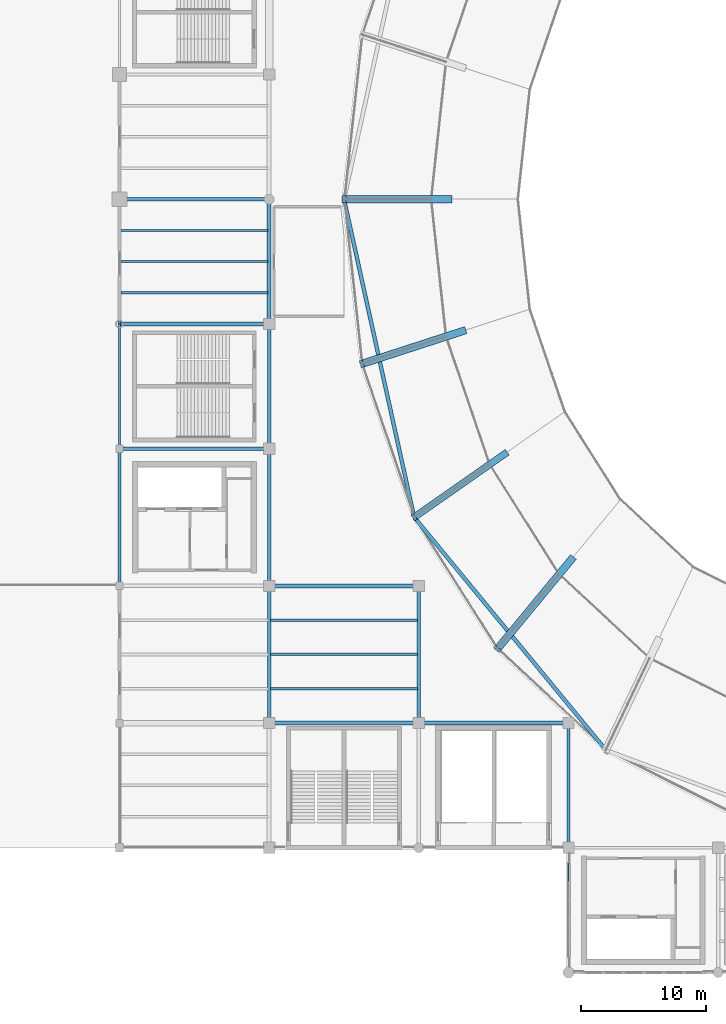
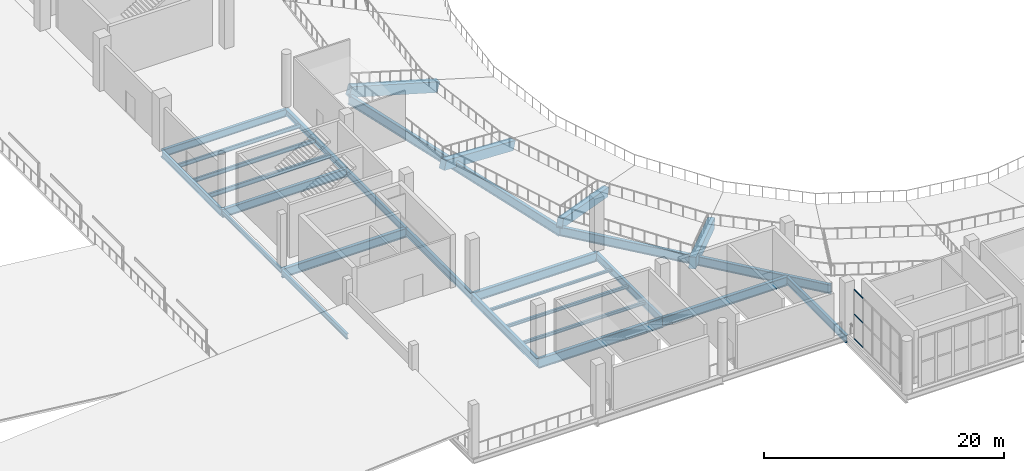
# One storey, part 8 of 74: 27 beams, 3 members, 1 element without a shape of its own.
"""IFC4 building model written with IfcOpenShell, lengths in metres."""

from ifc_helpers import new_model, si_unit, direction, frame, origin, origin_2d, place, context, subcontext, project, spatial, rectangle, hollow_rectangle, i_section, extrude, material, layer, layer_set, material_profile, profile_set, type_object, element, aggregate, save


model = new_model("IFC4")

# Units and contexts
model_context = context("Model", 3, precision=1e-05, world=origin(), true_north=direction((0.0, 1.0)))
body_context = subcontext(model_context, "Body", "Model", "MODEL_VIEW")
ifc_project = project(units=[si_unit("LENGTHUNIT", "METRE"), si_unit("AREAUNIT", "SQUARE_METRE"), si_unit("VOLUMEUNIT", "CUBIC_METRE"), si_unit("PLANEANGLEUNIT", "RADIAN"), si_unit("MASSUNIT", "GRAM", prefix="KILO")], contexts=[model_context])

# Site, building, storey
site_placement = place(None, origin())
site = spatial("IfcSite", under=ifc_project, at=site_placement, CompositionType="ELEMENT")
building_placement = place(site_placement, origin())
building = spatial("IfcBuilding", under=site, at=building_placement, Name="Brinegate Civic Arena", CompositionType="ELEMENT")
storey_placement = place(building_placement, frame((0.0, 0.0, 19.199951171875)))
storey = spatial("IfcBuildingStorey", under=building, at=storey_placement, Name="L04", CompositionType="ELEMENT", Elevation=19.199951171875)

# Curtain wall, members
ifc_material_1 = material(Name="Marine grade aluminium", Category="aluminium")
ifc_layer = layer(ifc_material_1, 0.25, Name="Marine grade aluminium")
ifc_layer_set = layer_set([ifc_layer], Name="Marine grade aluminium")
curtain_wall_type = type_object("IfcCurtainWallType", Name="CW-PORTAL-SOUTH-02", PredefinedType="USERDEFINED", material=ifc_layer_set)
curtain_wall_placement = place(storey_placement, origin())
curtain_wall = element("IfcCurtainWall", 1, at=curtain_wall_placement, inside=storey, type_object=curtain_wall_type, Name="Curtain Wall CWA-150", ObjectType="PORTAL CURTAIN WALL", PredefinedType="USERDEFINED")
ifc_material_profile_1 = material_profile(ifc_material_1, hollow_rectangle(XDim=0.06494140625, YDim=0.139892578125, WallThickness=0.0048828125, InnerFilletRadius=0.00390625, OuterFilletRadius=0.008056640625, at=origin_2d()), Name="TRN65X140")
ifc_profile_set_1 = profile_set([ifc_material_profile_1], Name="Marine grade aluminium")
member_type = type_object("IfcMemberType", Name="CW-TRANSOM-65X140", PredefinedType="USERDEFINED", material=ifc_profile_set_1)
member_1_placement = place(storey_placement, frame((84.0, 7.32080078125, 0.032470703125), z_axis=(0.0, 1.0, 0.0), x_axis=(-1.0, 0.0, 0.0)))
member_1 = element("IfcMember", 2, at=member_1_placement, type_object=member_type, Name="CWA-150 transom 5.1", ObjectType="TRANSOM", PredefinedType="USERDEFINED", context=body_context, shape_type="SweptSolid", body=[
    extrude(hollow_rectangle(XDim=0.06494140625, YDim=0.139892578125, WallThickness=0.0048828125, InnerFilletRadius=0.00390625, OuterFilletRadius=0.008056640625, at=origin_2d()), origin(), (0.0, 0.0, 1.0), 1.42822265625),
])
member_2_placement = place(storey_placement, frame((84.0, 7.32080078125, 2.53515625), z_axis=(0.0, 1.0, 0.0), x_axis=(-1.0, 0.0, 0.0)))
member_2 = element("IfcMember", 3, at=member_2_placement, type_object=member_type, Name="CWA-150 transom 5.2", ObjectType="TRANSOM", PredefinedType="USERDEFINED", context=body_context, shape_type="SweptSolid", body=[
    extrude(hollow_rectangle(XDim=0.06494140625, YDim=0.139892578125, WallThickness=0.0048828125, InnerFilletRadius=0.00390625, OuterFilletRadius=0.008056640625, at=origin_2d()), origin(), (0.0, 0.0, 1.0), 1.42822265625),
])
member_3_placement = place(storey_placement, frame((84.0, 7.32080078125, 5.03759765625), z_axis=(0.0, 1.0, 0.0), x_axis=(-1.0, 0.0, 0.0)))
member_3 = element("IfcMember", 4, at=member_3_placement, type_object=member_type, Name="CWA-150 transom 5.3", ObjectType="TRANSOM", PredefinedType="USERDEFINED", context=body_context, shape_type="SweptSolid", body=[
    extrude(hollow_rectangle(XDim=0.06494140625, YDim=0.139892578125, WallThickness=0.0048828125, InnerFilletRadius=0.00390625, OuterFilletRadius=0.008056640625, at=origin_2d()), origin(), (0.0, 0.0, 1.0), 1.42822265625),
])
aggregate(curtain_wall, [member_1, member_2, member_3])

# Beams
ifc_material_2 = material(Name="Steel S355", Category="steel")
ifc_material_profile_2 = material_profile(ifc_material_2, i_section(OverallWidth=0.300048828125, OverallDepth=1.0, WebThickness=0.01904296875, FlangeThickness=0.031982421875, FilletRadius=0.02392578125, at=origin_2d()), Name="W1000X321")
ifc_profile_set_2 = profile_set([ifc_material_profile_2], Name="Steel S355")
beam_type_1 = type_object("IfcBeamType", Name="GIRDER-W1000X321", PredefinedType="BEAM", material=ifc_profile_set_2)
beam_1_placement = place(storey_placement, frame((60.0, 20.0, -0.83984375), z_axis=(1.0, 0.0, 0.0), x_axis=(0.0, 1.0, 0.0)))
element("IfcBeam", 5, at=beam_1_placement, inside=storey, type_object=beam_type_1, Name="Floor Girder BM-L04-GX-05-02", PredefinedType="BEAM", context=body_context, shape_type="SweptSolid", body=[
    extrude(i_section(OverallWidth=0.300048828125, OverallDepth=1.0, WebThickness=0.01904296875, FlangeThickness=0.031982421875, FilletRadius=0.02392578125, at=origin_2d()), origin(), (0.0, 0.0, 1.0), 12.0),
])
ifc_material_profile_3 = material_profile(ifc_material_2, i_section(OverallWidth=0.323974609375, OverallDepth=0.611083984375, WebThickness=0.012939453125, FlangeThickness=0.01904296875, FilletRadius=0.01611328125, at=origin_2d()), Name="W610X155")
ifc_profile_set_3 = profile_set([ifc_material_profile_3], Name="Steel S355")
beam_type_2 = type_object("IfcBeamType", Name="GIRDER-W610X155", PredefinedType="BEAM", material=ifc_profile_set_3)
beam_2_placement = place(storey_placement, frame((60.0, 52.0, -0.64501953125), z_axis=(0.0, 1.0, 0.0), x_axis=(-1.0, 0.0, 0.0)))
element("IfcBeam", 6, at=beam_2_placement, inside=storey, type_object=beam_type_2, Name="Floor Girder BM-L04-GY-05-05", PredefinedType="BEAM", context=body_context, shape_type="SweptSolid", body=[
    extrude(i_section(OverallWidth=0.323974609375, OverallDepth=0.611083984375, WebThickness=0.012939453125, FlangeThickness=0.01904296875, FilletRadius=0.01611328125, at=origin_2d()), origin(), (0.0, 0.0, 1.0), 10.0),
])
ifc_material_profile_4 = material_profile(ifc_material_2, i_section(OverallWidth=0.256103515625, OverallDepth=0.693115234375, WebThickness=0.014892578125, FlangeThickness=0.02392578125, FilletRadius=0.01806640625, at=origin_2d()), Name="W690X170")
ifc_profile_set_4 = profile_set([ifc_material_profile_4], Name="Steel S355")
beam_type_3 = type_object("IfcBeamType", Name="GIRDER-W690X170", PredefinedType="BEAM", material=ifc_profile_set_4)
beam_3_placement = place(storey_placement, frame((60.0, 42.0, -0.68603515625), z_axis=(0.0, 1.0, 0.0), x_axis=(-1.0, 0.0, 0.0)))
element("IfcBeam", 7, at=beam_3_placement, inside=storey, type_object=beam_type_3, Name="Floor Girder BM-L04-GY-05-04", PredefinedType="BEAM", context=body_context, shape_type="SweptSolid", body=[
    extrude(i_section(OverallWidth=0.256103515625, OverallDepth=0.693115234375, WebThickness=0.014892578125, FlangeThickness=0.02392578125, FilletRadius=0.01806640625, at=origin_2d()), origin(), (0.0, 0.0, 1.0), 10.0),
])
ifc_material_profile_5 = material_profile(ifc_material_2, i_section(OverallWidth=0.26806640625, OverallDepth=0.77001953125, WebThickness=0.01611328125, FlangeThickness=0.02490234375, FilletRadius=0.02001953125, at=origin_2d()), Name="W760X196")
ifc_profile_set_5 = profile_set([ifc_material_profile_5], Name="Steel S355")
beam_type_4 = type_object("IfcBeamType", Name="GIRDER-W760X196", PredefinedType="BEAM", material=ifc_profile_set_5)
beam_4_placement = place(storey_placement, frame((48.0, 62.0, -0.724853515625), z_axis=(1.0, 0.0, 0.0), x_axis=(0.0, 1.0, 0.0)))
element("IfcBeam", 8, at=beam_4_placement, inside=storey, type_object=beam_type_4, Name="Floor Girder BM-L04-GX-04-06", PredefinedType="BEAM", context=body_context, shape_type="SweptSolid", body=[
    extrude(i_section(OverallWidth=0.26806640625, OverallDepth=0.77001953125, WebThickness=0.01611328125, FlangeThickness=0.02490234375, FilletRadius=0.02001953125, at=origin_2d()), origin(), (0.0, 0.0, 1.0), 12.0),
])
for number, where, z_axis, x_axis, name in (
    (9, (60.0, 31.0, -0.724853515625), (0.0, 1.0, 0.0), (-1.0, 0.0, 0.0), "Floor Girder BM-L04-GY-05-03"),
    (10, (72.0, 20.0, -0.724853515625), (0.0, 1.0, 0.0), (-1.0, 0.0, 0.0), "Floor Girder BM-L04-GY-06-02"),
):
    element("IfcBeam", number, at=place(storey_placement, frame(where, z_axis=z_axis, x_axis=x_axis)), inside=storey, type_object=beam_type_4, Name=name, PredefinedType="BEAM", context=body_context, shape_type="SweptSolid", body=[
        extrude(i_section(OverallWidth=0.26806640625, OverallDepth=0.77001953125, WebThickness=0.01611328125, FlangeThickness=0.02490234375, FilletRadius=0.02001953125, at=origin_2d()), origin(), (0.0, 0.0, 1.0), 11.0),
    ])
beam_5_placement = place(storey_placement, frame((84.0, 10.0, -0.724853515625), z_axis=(0.0, 1.0, 0.0), x_axis=(-1.0, 0.0, 0.0)))
element("IfcBeam", 11, at=beam_5_placement, inside=storey, type_object=beam_type_4, Name="Floor Girder BM-L04-GY-07-01", PredefinedType="BEAM", context=body_context, shape_type="SweptSolid", body=[
    extrude(i_section(OverallWidth=0.26806640625, OverallDepth=0.77001953125, WebThickness=0.01611328125, FlangeThickness=0.02490234375, FilletRadius=0.02001953125, at=origin_2d()), origin(), (0.0, 0.0, 1.0), 10.0),
])
ifc_material_profile_6 = material_profile(ifc_material_2, i_section(OverallWidth=0.2939453125, OverallDepth=0.85107421875, WebThickness=0.01611328125, FlangeThickness=0.027099609375, FilletRadius=0.02197265625, at=origin_2d()), Name="W840X226")
ifc_profile_set_6 = profile_set([ifc_material_profile_6], Name="Steel S355")
beam_type_5 = type_object("IfcBeamType", Name="GIRDER-W840X226", PredefinedType="BEAM", material=ifc_profile_set_6)
beam_6_placement = place(storey_placement, frame((48.0, 52.0, -0.764892578125), z_axis=(1.0, 0.0, 0.0), x_axis=(0.0, 1.0, 0.0)))
element("IfcBeam", 12, at=beam_6_placement, inside=storey, type_object=beam_type_5, Name="Floor Girder BM-L04-GX-04-05", PredefinedType="BEAM", context=body_context, shape_type="SweptSolid", body=[
    extrude(i_section(OverallWidth=0.2939453125, OverallDepth=0.85107421875, WebThickness=0.01611328125, FlangeThickness=0.027099609375, FilletRadius=0.02197265625, at=origin_2d()), origin(), (0.0, 0.0, 1.0), 12.0),
])
beam_7_placement = place(storey_placement, frame((60.0, 20.0, -0.764892578125), z_axis=(0.0, 1.0, 0.0), x_axis=(-1.0, 0.0, 0.0)))
element("IfcBeam", 13, at=beam_7_placement, inside=storey, type_object=beam_type_5, Name="Floor Girder BM-L04-GY-05-02", PredefinedType="BEAM", context=body_context, shape_type="SweptSolid", body=[
    extrude(i_section(OverallWidth=0.2939453125, OverallDepth=0.85107421875, WebThickness=0.01611328125, FlangeThickness=0.027099609375, FilletRadius=0.02197265625, at=origin_2d()), origin(), (0.0, 0.0, 1.0), 11.0),
])
ifc_material_profile_7 = material_profile(ifc_material_2, i_section(OverallWidth=0.30810546875, OverallDepth=0.927001953125, WebThickness=0.01904296875, FlangeThickness=0.031982421875, FilletRadius=0.02392578125, at=origin_2d()), Name="W920X289")
ifc_profile_set_7 = profile_set([ifc_material_profile_7], Name="Steel S355")
beam_type_6 = type_object("IfcBeamType", Name="GIRDER-W920X289", PredefinedType="BEAM", material=ifc_profile_set_7)
for number, where, z_axis, x_axis, name in (
    (14, (72.0, 20.0, -0.802978515625), (1.0, 0.0, 0.0), (0.0, 1.0, 0.0), "Floor Girder BM-L04-GX-06-02"),
    (15, (60.0, 31.0, -0.802978515625), (1.0, 0.0, 0.0), (0.0, 1.0, 0.0), "Floor Girder BM-L04-GX-05-03"),
    (16, (48.0, 42.0, -0.802978515625), (1.0, 0.0, 0.0), (0.0, 1.0, 0.0), "Floor Girder BM-L04-GX-04-04"),
):
    element("IfcBeam", number, at=place(storey_placement, frame(where, z_axis=z_axis, x_axis=x_axis)), inside=storey, type_object=beam_type_6, Name=name, PredefinedType="BEAM", context=body_context, shape_type="SweptSolid", body=[
        extrude(i_section(OverallWidth=0.30810546875, OverallDepth=0.927001953125, WebThickness=0.01904296875, FlangeThickness=0.031982421875, FilletRadius=0.02392578125, at=origin_2d()), origin(), (0.0, 0.0, 1.0), 12.0),
    ])
ifc_material_profile_8 = material_profile(ifc_material_2, i_section(OverallWidth=0.202880859375, OverallDepth=0.251953125, WebThickness=0.008056640625, FlangeThickness=0.013916015625, FilletRadius=0.011962890625, at=origin_2d()), Name="W250X58")
ifc_profile_set_8 = profile_set([ifc_material_profile_8], Name="Steel S355")
beam_type_7 = type_object("IfcBeamType", Name="JOIST-W250X58", PredefinedType="JOIST", material=ifc_profile_set_8)
beam_8_placement = place(storey_placement, frame((60.10595703125, 28.25, -0.466064453125), z_axis=(1.0, 0.0, 0.0), x_axis=(0.0, 1.0, 0.0)))
element("IfcBeam", 17, at=beam_8_placement, inside=storey, type_object=beam_type_7, Name="Secondary Joist BM-L04-JX-05-02-3", PredefinedType="JOIST", context=body_context, shape_type="SweptSolid", body=[
    extrude(i_section(OverallWidth=0.202880859375, OverallDepth=0.251953125, WebThickness=0.008056640625, FlangeThickness=0.013916015625, FilletRadius=0.011962890625, at=origin_2d()), origin(), (0.0, 0.0, 1.0), 11.7880859375),
])
ifc_material_profile_9 = material_profile(ifc_material_2, i_section(OverallWidth=0.202880859375, OverallDepth=0.302978515625, WebThickness=0.008056640625, FlangeThickness=0.012939453125, FilletRadius=0.012939453125, at=origin_2d()), Name="W310X60")
ifc_profile_set_9 = profile_set([ifc_material_profile_9], Name="Steel S355")
beam_type_8 = type_object("IfcBeamType", Name="JOIST-W310X60", PredefinedType="JOIST", material=ifc_profile_set_9)
beam_9_placement = place(storey_placement, frame((60.10595703125, 25.5, -0.490966796875), z_axis=(1.0, 0.0, 0.0), x_axis=(0.0, 1.0, 0.0)))
element("IfcBeam", 18, at=beam_9_placement, inside=storey, type_object=beam_type_8, Name="Secondary Joist BM-L04-JX-05-02-2", PredefinedType="JOIST", context=body_context, shape_type="SweptSolid", body=[
    extrude(i_section(OverallWidth=0.202880859375, OverallDepth=0.302978515625, WebThickness=0.008056640625, FlangeThickness=0.012939453125, FilletRadius=0.012939453125, at=origin_2d()), origin(), (0.0, 0.0, 1.0), 11.7880859375),
])
ifc_material_profile_10 = material_profile(ifc_material_2, i_section(OverallWidth=0.205078125, OverallDepth=0.31005859375, WebThickness=0.009033203125, FlangeThickness=0.01611328125, FilletRadius=0.012939453125, at=origin_2d()), Name="W310X74")
ifc_profile_set_10 = profile_set([ifc_material_profile_10], Name="Steel S355")
beam_type_9 = type_object("IfcBeamType", Name="JOIST-W310X74", PredefinedType="JOIST", material=ifc_profile_set_10)
beam_10_placement = place(storey_placement, frame((60.10595703125, 22.75, -0.494873046875), z_axis=(1.0, 0.0, 0.0), x_axis=(0.0, 1.0, 0.0)))
element("IfcBeam", 19, at=beam_10_placement, inside=storey, type_object=beam_type_9, Name="Secondary Joist BM-L04-JX-05-02-1", PredefinedType="JOIST", context=body_context, shape_type="SweptSolid", body=[
    extrude(i_section(OverallWidth=0.205078125, OverallDepth=0.31005859375, WebThickness=0.009033203125, FlangeThickness=0.01611328125, FilletRadius=0.012939453125, at=origin_2d()), origin(), (0.0, 0.0, 1.0), 11.7880859375),
])
ifc_material_profile_11 = material_profile(ifc_material_2, i_section(OverallWidth=0.178955078125, OverallDepth=0.409912109375, WebThickness=0.009033203125, FlangeThickness=0.013916015625, FilletRadius=0.013916015625, at=origin_2d()), Name="W410X67")
ifc_profile_set_11 = profile_set([ifc_material_profile_11], Name="Steel S355")
beam_type_10 = type_object("IfcBeamType", Name="JOIST-W410X67", PredefinedType="JOIST", material=ifc_profile_set_11)
beam_11_placement = place(storey_placement, frame((48.10595703125, 59.5, -0.544921875), z_axis=(1.0, 0.0, 0.0), x_axis=(0.0, 1.0, 0.0)))
element("IfcBeam", 20, at=beam_11_placement, inside=storey, type_object=beam_type_10, Name="Secondary Joist BM-L04-JX-04-05-3", PredefinedType="JOIST", context=body_context, shape_type="SweptSolid", body=[
    extrude(i_section(OverallWidth=0.178955078125, OverallDepth=0.409912109375, WebThickness=0.009033203125, FlangeThickness=0.013916015625, FilletRadius=0.013916015625, at=origin_2d()), origin(), (0.0, 0.0, 1.0), 11.7880859375),
])
ifc_material_profile_12 = material_profile(ifc_material_2, i_section(OverallWidth=0.180908203125, OverallDepth=0.4169921875, WebThickness=0.010986328125, FlangeThickness=0.01806640625, FilletRadius=0.013916015625, at=origin_2d()), Name="W410X85")
ifc_profile_set_12 = profile_set([ifc_material_profile_12], Name="Steel S355")
beam_type_11 = type_object("IfcBeamType", Name="JOIST-W410X85", PredefinedType="JOIST", material=ifc_profile_set_12)
beam_12_placement = place(storey_placement, frame((48.10595703125, 57.0, -0.5478515625), z_axis=(1.0, 0.0, 0.0), x_axis=(0.0, 1.0, 0.0)))
element("IfcBeam", 21, at=beam_12_placement, inside=storey, type_object=beam_type_11, Name="Secondary Joist BM-L04-JX-04-05-2", PredefinedType="JOIST", context=body_context, shape_type="SweptSolid", body=[
    extrude(i_section(OverallWidth=0.180908203125, OverallDepth=0.4169921875, WebThickness=0.010986328125, FlangeThickness=0.01806640625, FilletRadius=0.013916015625, at=origin_2d()), origin(), (0.0, 0.0, 1.0), 11.7880859375),
])
ifc_material_profile_13 = material_profile(ifc_material_2, i_section(OverallWidth=0.19091796875, OverallDepth=0.4599609375, WebThickness=0.010009765625, FlangeThickness=0.01611328125, FilletRadius=0.014892578125, at=origin_2d()), Name="W460X82")
ifc_profile_set_13 = profile_set([ifc_material_profile_13], Name="Steel S355")
beam_type_12 = type_object("IfcBeamType", Name="JOIST-W460X82", PredefinedType="JOIST", material=ifc_profile_set_13)
beam_13_placement = place(storey_placement, frame((48.10595703125, 54.5, -0.570068359375), z_axis=(1.0, 0.0, 0.0), x_axis=(0.0, 1.0, 0.0)))
element("IfcBeam", 22, at=beam_13_placement, inside=storey, type_object=beam_type_12, Name="Secondary Joist BM-L04-JX-04-05-1", PredefinedType="JOIST", context=body_context, shape_type="SweptSolid", body=[
    extrude(i_section(OverallWidth=0.19091796875, OverallDepth=0.4599609375, WebThickness=0.010009765625, FlangeThickness=0.01611328125, FilletRadius=0.014892578125, at=origin_2d()), origin(), (0.0, 0.0, 1.0), 11.7880859375),
])
ifc_material_3 = material(Name="Concrete C50/60", Category="concrete")
ifc_material_profile_14 = material_profile(ifc_material_3, rectangle(XDim=0.550048828125, YDim=0.89990234375, at=origin_2d()), Name="RKR550X900")
ifc_profile_set_14 = profile_set([ifc_material_profile_14], Name="Concrete C50/60")
beam_type_13 = type_object("IfcBeamType", Name="RAKER-RKR550X900", PredefinedType="USERDEFINED", material=ifc_profile_set_14)
beam_14_placement = place(storey_placement, frame((78.988037109375, 41.64990234375, -3.099853515625), z_axis=(-0.790512791531, -0.553052198088, 0.263102247455), x_axis=(0.573248930073, -0.819381269111, 0.0)))
element("IfcBeam", 23, at=beam_14_placement, inside=storey, type_object=beam_type_13, Name="Upper Bowl Raker Girder RKR-UPR-15", ObjectType="RAKER GIRDER", PredefinedType="USERDEFINED", context=body_context, shape_type="SweptSolid", body=[
    extrude(rectangle(XDim=0.550048828125, YDim=0.89990234375, at=origin_2d()), origin(), (0.0, 0.0, 1.0), 9.311767578125),
])
ifc_material_profile_15 = material_profile(ifc_material_3, rectangle(XDim=0.60009765625, YDim=1.050048828125, at=origin_2d()), Name="RKR600X1050")
ifc_profile_set_15 = profile_set([ifc_material_profile_15], Name="Concrete C50/60")
beam_type_14 = type_object("IfcBeamType", Name="RAKER-RKR600X1050", PredefinedType="USERDEFINED", material=ifc_profile_set_15)
beam_15_placement = place(storey_placement, frame((74.5, 62.0, -3.099853515625), z_axis=(-0.960882931725, 0.0, 0.27695485466), x_axis=(0.0, -1.0, 0.0)))
element("IfcBeam", 24, at=beam_15_placement, inside=storey, type_object=beam_type_14, Name="Upper Bowl Raker Girder RKR-UPR-13", ObjectType="RAKER GIRDER", PredefinedType="USERDEFINED", context=body_context, shape_type="SweptSolid", body=[
    extrude(rectangle(XDim=0.60009765625, YDim=1.050048828125, at=origin_2d()), origin(), (0.0, 0.0, 1.0), 8.845947265625),
])
beam_16_placement = place(storey_placement, frame((84.31201171875, 33.220947265625, -3.099853515625), z_axis=(-0.616082542509, -0.746571813202, 0.251143043997), x_axis=(0.77129172537, -0.636481794222, 0.0)))
element("IfcBeam", 25, at=beam_16_placement, inside=storey, type_object=beam_type_14, Name="Upper Bowl Raker Girder RKR-UPR-16", ObjectType="RAKER GIRDER", PredefinedType="USERDEFINED", context=body_context, shape_type="SweptSolid", body=[
    extrude(rectangle(XDim=0.60009765625, YDim=1.050048828125, at=origin_2d()), origin(), (0.0, 0.0, 1.0), 9.755126953125),
])
ifc_material_profile_16 = material_profile(ifc_material_3, rectangle(XDim=0.60009765625, YDim=0.949951171875, at=origin_2d()), Name="RKR600X950")
ifc_profile_set_16 = profile_set([ifc_material_profile_16], Name="Concrete C50/60")
beam_type_15 = type_object("IfcBeamType", Name="RAKER-RKR600X950", PredefinedType="USERDEFINED", material=ifc_profile_set_16)
beam_17_placement = place(storey_placement, frame((75.64111328125, 51.466064453125, -3.099853515625), z_axis=(-0.914974986792, -0.297110436105, 0.273031430981), x_axis=(0.308844965633, -0.951112394622, 0.0)))
element("IfcBeam", 26, at=beam_17_placement, inside=storey, type_object=beam_type_15, Name="Upper Bowl Raker Girder RKR-UPR-14", ObjectType="RAKER GIRDER", PredefinedType="USERDEFINED", context=body_context, shape_type="SweptSolid", body=[
    extrude(rectangle(XDim=0.60009765625, YDim=0.949951171875, at=origin_2d()), origin(), (0.0, 0.0, 1.0), 8.97314453125),
])
ifc_material_profile_17 = material_profile(ifc_material_2, i_section(OverallWidth=0.300048828125, OverallDepth=1.0, WebThickness=0.01904296875, FlangeThickness=0.031982421875, FilletRadius=0.02392578125, at=origin_2d()), Name="W1000X321")
ifc_profile_set_17 = profile_set([ifc_material_profile_17], Name="Steel S355")
beam_type_16 = type_object("IfcBeamType", Name="RING-W1000X321", PredefinedType="BEAM", material=ifc_profile_set_17)
beam_18_placement = place(storey_placement, frame((66.0, 62.0, -1.449951171875), z_axis=(0.215480978619, -0.976508037782, 0.0), x_axis=(0.976508037782, 0.215480978619, 0.0)))
element("IfcBeam", 27, at=beam_18_placement, inside=storey, type_object=beam_type_16, Name="Bowl Ring Girder RG-BOWL-07", PredefinedType="BEAM", context=body_context, shape_type="SweptSolid", body=[
    extrude(i_section(OverallWidth=0.300048828125, OverallDepth=1.0, WebThickness=0.01904296875, FlangeThickness=0.031982421875, FilletRadius=0.02392578125, at=origin_2d()), origin(), (0.0, 0.0, 1.0), 26.113525390625),
])
ifc_material_profile_18 = material_profile(ifc_material_2, i_section(OverallWidth=0.30810546875, OverallDepth=0.927001953125, WebThickness=0.01904296875, FlangeThickness=0.031982421875, FilletRadius=0.02392578125, at=origin_2d()), Name="W920X289")
ifc_profile_set_18 = profile_set([ifc_material_profile_18], Name="Steel S355")
beam_type_17 = type_object("IfcBeamType", Name="RING-W920X289", PredefinedType="BEAM", material=ifc_profile_set_18)
beam_19_placement = place(storey_placement, frame((71.626953125, 36.5, -1.412841796875), z_axis=(0.635712914824, -0.77192557279, 0.0), x_axis=(0.77192557279, 0.635712914824, 0.0)))
element("IfcBeam", 28, at=beam_19_placement, inside=storey, type_object=beam_type_17, Name="Bowl Ring Girder RG-BOWL-08", PredefinedType="BEAM", context=body_context, shape_type="SweptSolid", body=[
    extrude(i_section(OverallWidth=0.30810546875, OverallDepth=0.927001953125, WebThickness=0.01904296875, FlangeThickness=0.031982421875, FilletRadius=0.02392578125, at=origin_2d()), origin(), (0.0, 0.0, 1.0), 24.182373046875),
])
ifc_material_profile_19 = material_profile(ifc_material_2, i_section(OverallWidth=0.193115234375, OverallDepth=0.466064453125, WebThickness=0.010986328125, FlangeThickness=0.01904296875, FilletRadius=0.014892578125, at=origin_2d()), Name="W460X97")
ifc_profile_set_19 = profile_set([ifc_material_profile_19], Name="Steel S355")
beam_type_18 = type_object("IfcBeamType", Name="SPANDREL-W460X97", PredefinedType="SPANDREL", material=ifc_profile_set_19)
beam_20_placement = place(storey_placement, frame((48.0, 42.0, -0.572998046875), z_axis=(0.0, 1.0, 0.0), x_axis=(-1.0, 0.0, 0.0)))
element("IfcBeam", 29, at=beam_20_placement, inside=storey, type_object=beam_type_18, Name="Floor Girder BM-L04-GY-04-04", PredefinedType="SPANDREL", context=body_context, shape_type="SweptSolid", body=[
    extrude(i_section(OverallWidth=0.193115234375, OverallDepth=0.466064453125, WebThickness=0.010986328125, FlangeThickness=0.01904296875, FilletRadius=0.014892578125, at=origin_2d()), origin(), (0.0, 0.0, 1.0), 10.0),
])
ifc_material_profile_20 = material_profile(ifc_material_2, i_section(OverallWidth=0.2119140625, OverallDepth=0.5439453125, WebThickness=0.012939453125, FlangeThickness=0.02099609375, FilletRadius=0.01611328125, at=origin_2d()), Name="W530X123")
ifc_profile_set_20 = profile_set([ifc_material_profile_20], Name="Steel S355")
beam_type_19 = type_object("IfcBeamType", Name="SPANDREL-W530X123", PredefinedType="SPANDREL", material=ifc_profile_set_20)
beam_21_placement = place(storey_placement, frame((48.0, 31.0, -0.612060546875), z_axis=(0.0, 1.0, 0.0), x_axis=(-1.0, 0.0, 0.0)))
element("IfcBeam", 30, at=beam_21_placement, inside=storey, type_object=beam_type_19, Name="Floor Girder BM-L04-GY-04-03", PredefinedType="SPANDREL", context=body_context, shape_type="SweptSolid", body=[
    extrude(i_section(OverallWidth=0.2119140625, OverallDepth=0.5439453125, WebThickness=0.012939453125, FlangeThickness=0.02099609375, FilletRadius=0.01611328125, at=origin_2d()), origin(), (0.0, 0.0, 1.0), 11.0),
])
ifc_material_profile_21 = material_profile(ifc_material_2, i_section(OverallWidth=0.256103515625, OverallDepth=0.693115234375, WebThickness=0.014892578125, FlangeThickness=0.02392578125, FilletRadius=0.01806640625, at=origin_2d()), Name="W690X170")
ifc_profile_set_21 = profile_set([ifc_material_profile_21], Name="Steel S355")
beam_type_20 = type_object("IfcBeamType", Name="SPANDREL-W690X170", PredefinedType="SPANDREL", material=ifc_profile_set_21)
beam_22_placement = place(storey_placement, frame((48.0, 52.0, -0.68603515625), z_axis=(0.0, 1.0, 0.0), x_axis=(-1.0, 0.0, 0.0)))
element("IfcBeam", 31, at=beam_22_placement, inside=storey, type_object=beam_type_20, Name="Floor Girder BM-L04-GY-04-05", PredefinedType="SPANDREL", context=body_context, shape_type="SweptSolid", body=[
    extrude(i_section(OverallWidth=0.256103515625, OverallDepth=0.693115234375, WebThickness=0.014892578125, FlangeThickness=0.02392578125, FilletRadius=0.01806640625, at=origin_2d()), origin(), (0.0, 0.0, 1.0), 10.0),
])

save(model, "model.ifc")
